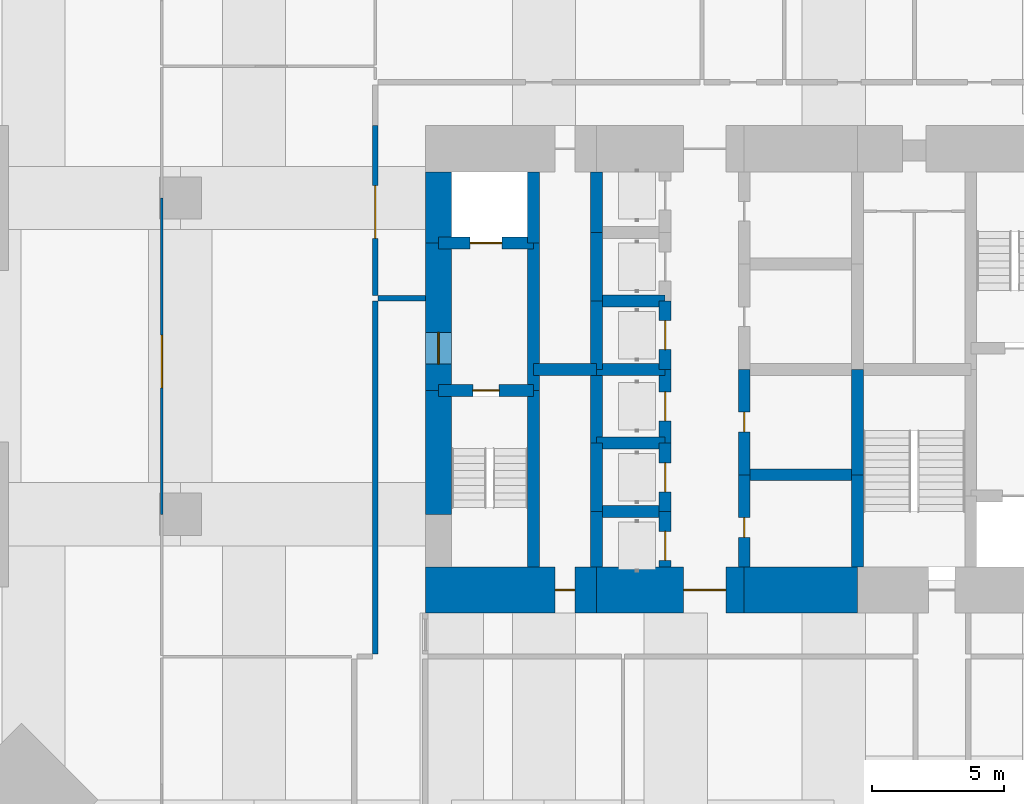
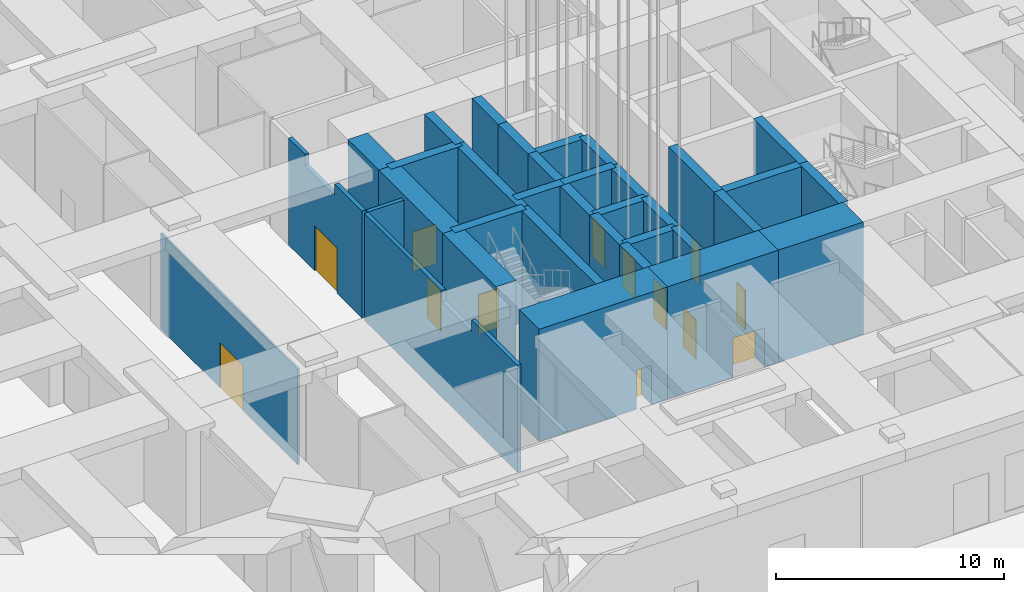
# One storey, part 5 of 17: 35 walls, 13 doors, 13 openings.
"""IFC4 building model written with IfcOpenShell, lengths in metres."""

from ifc_helpers import new_model, si_unit, direction, frame, frame_2d, origin, place, context, subcontext, project, spatial, polyline, rectangle, outline, extrude, material, layer, layer_set, constituent, constituent_set, type_object, element, fill, save


model = new_model("IFC4")

# Units and contexts
model_context = context("Model", 3, precision=1e-05, world=origin(), true_north=direction((0.0, 1.0)))
body_context = subcontext(model_context, "Body", "Model", "MODEL_VIEW")
ifc_project = project(units=[si_unit("LENGTHUNIT", "METRE"), si_unit("AREAUNIT", "SQUARE_METRE"), si_unit("VOLUMEUNIT", "CUBIC_METRE"), si_unit("PLANEANGLEUNIT", "RADIAN"), si_unit("MASSUNIT", "GRAM", prefix="KILO")], contexts=[model_context])

# Site, building, storey
site_placement = place(None, origin())
site = spatial("IfcSite", under=ifc_project, at=site_placement, CompositionType="ELEMENT")
building_placement = place(site_placement, origin())
building = spatial("IfcBuilding", under=site, at=building_placement, Name="Jalousie Tower", CompositionType="ELEMENT")
storey_placement = place(building_placement, origin())
storey = spatial("IfcBuildingStorey", under=building, at=storey_placement, Name="L00", CompositionType="ELEMENT", Elevation=0.0)

# Wall
ifc_material_1 = material(Name="Concrete f'c 120 MPa", Category="concrete")
ifc_layer_1 = layer(ifc_material_1, 1.0)
ifc_layer_set_1 = layer_set([ifc_layer_1], Name="Concrete f'c 120 MPa")
wall_type_1 = type_object("IfcWallType", Name="CORE WALL 1000", PredefinedType="SHEAR", material=ifc_layer_set_1)
wall_1_placement = place(storey_placement, frame((20.0, 26.0, 0.0), z_axis=(0.0, 0.0, 1.0), x_axis=(0.0, -1.0, 0.0)))
element("IfcWall", 1, at=wall_1_placement, inside=storey, type_object=wall_type_1, Name="Core wall WA L00", PredefinedType="SHEAR", context=body_context, shape_type="SweptSolid", body=[
    extrude(rectangle(XDim=2.699951171875, YDim=1.0, at=frame_2d((1.35009765625, 0.0))), origin(), (0.0, 0.0, 1.0), 6.0),
])

# Wall, opening, door
wall_2_placement = place(storey_placement, frame((20.0, 23.300048828125, 0.0), z_axis=(0.0, 0.0, 1.0), x_axis=(0.0, -1.0, 0.0)))
wall_2 = element("IfcWall", 2, at=wall_2_placement, inside=storey, type_object=wall_type_1, Name="Core wall WB L00", PredefinedType="SHEAR", context=body_context, shape_type="SweptSolid", body=[
    extrude(rectangle(XDim=5.60009765625, YDim=1.0, at=frame_2d((2.800048828125, 0.0))), origin(), (0.0, 0.0, 1.0), 6.0),
])
opening_1_placement = place(wall_2_placement, frame((3.39990234375, 0.0, 0.0)))
opening_1 = element("IfcOpeningElement", 3, at=opening_1_placement, cuts=wall_2, Name="Opening D11", PredefinedType="OPENING", context=body_context, shape_type="SweptSolid", body=[
    extrude(rectangle(XDim=1.199951171875, YDim=2.199951171875, at=frame_2d((0.60009765625, 1.10009765625))), frame((0.0, 0.510009765625, 0.0), z_axis=(0.0, -1.0, 0.0), x_axis=(1.0, 0.0, 0.0)), (0.0, 0.0, 1.0), 1.02001953125),
])
ifc_material_2 = material(Name="Steel fire door", Category="steel")
door_type_1 = type_object("IfcDoorType", Name="FIRE DOOR 1200", OperationType="SINGLE_SWING_LEFT", PredefinedType="DOOR", material=ifc_material_2)
door_1_placement = place(opening_1_placement, frame((1.199951171875, 0.0, 0.0), z_axis=(0.0, 0.0, 1.0), x_axis=(-1.0, 0.0, 0.0)))
door_1 = element("IfcDoor", 4, at=door_1_placement, inside=storey, type_object=door_type_1, Name="Fire-fighting lobby A door", OperationType="SINGLE_SWING_RIGHT", OverallHeight=2.199951171875, OverallWidth=1.199951171875, PredefinedType="DOOR", context=body_context, shape_type="SweptSolid", body=[
    extrude(rectangle(XDim=1.199951171875, YDim=2.199951171875, at=frame_2d((0.60009765625, 1.10009765625))), frame((0.0, 0.02490234375, 0.0), z_axis=(0.0, -1.0, 0.0), x_axis=(1.0, 0.0, 0.0)), (0.0, 0.0, 1.0), 0.050048828125),
])
fill(opening_1, door_1)

# Wall
wall_3_placement = place(storey_placement, frame((20.0, 17.699951171875, 0.0), z_axis=(0.0, 0.0, 1.0), x_axis=(0.0, -1.0, 0.0)))
element("IfcWall", 5, at=wall_3_placement, inside=storey, type_object=wall_type_1, Name="Core wall WC L00", PredefinedType="SHEAR", context=body_context, shape_type="SweptSolid", body=[
    extrude(rectangle(XDim=4.699951171875, YDim=1.0, at=frame_2d((2.35009765625, 0.0))), origin(), (0.0, 0.0, 1.0), 6.0),
])

# Wall, opening, door
ifc_material_3 = material(Name="Concrete f'c 120 MPa", Category="concrete")
ifc_layer_2 = layer(ifc_material_3, 1.75)
ifc_layer_set_2 = layer_set([ifc_layer_2], Name="Concrete f'c 120 MPa")
wall_type_2 = type_object("IfcWallType", Name="CORE WALL 1750", PredefinedType="SHEAR", material=ifc_layer_set_2)
wall_4_placement = place(storey_placement, frame((19.5, 10.125, 0.0), z_axis=(0.0, 0.0, 1.0), x_axis=(1.0, 0.0, 0.0)))
wall_4 = element("IfcWall", 6, at=wall_4_placement, inside=storey, type_object=wall_type_2, Name="Core wall SA L00", PredefinedType="SHEAR", context=body_context, shape_type="SweptSolid", body=[
    extrude(rectangle(XDim=6.5, YDim=1.75, at=frame_2d((3.25, 0.0))), origin(), (0.0, 0.0, 1.0), 6.0),
])
opening_2_placement = place(wall_4_placement, frame((4.925048828125, 0.0, 0.0)))
opening_2 = element("IfcOpeningElement", 7, at=opening_2_placement, cuts=wall_4, Name="Opening D16", PredefinedType="OPENING", context=body_context, shape_type="SweptSolid", body=[
    extrude(rectangle(XDim=0.75, YDim=2.10009765625, at=frame_2d((0.375, 1.050048828125))), frame((0.0, 0.885009765625, 0.0), z_axis=(0.0, -1.0, 0.0), x_axis=(1.0, 0.0, 0.0)), (0.0, 0.0, 1.0), 1.77001953125),
])
ifc_material_4 = material(Name="Steel fire door", Category="steel")
door_type_2 = type_object("IfcDoorType", Name="RISER DOOR 750", OperationType="SINGLE_SWING_LEFT", PredefinedType="DOOR", material=ifc_material_4)
door_2_placement = place(opening_2_placement, origin())
door_2 = element("IfcDoor", 8, at=door_2_placement, inside=storey, type_object=door_type_2, Name="South riser door", OperationType="SINGLE_SWING_LEFT", OverallHeight=2.10009765625, OverallWidth=0.75, PredefinedType="DOOR", context=body_context, shape_type="SweptSolid", body=[
    extrude(rectangle(XDim=0.75, YDim=2.10009765625, at=frame_2d((0.375, 1.050048828125))), frame((0.0, 0.02490234375, 0.0), z_axis=(0.0, -1.0, 0.0), x_axis=(1.0, 0.0, 0.0)), (0.0, 0.0, 1.0), 0.050048828125),
])
fill(opening_2, door_2)

wall_5_placement = place(storey_placement, frame((26.0, 10.125, 0.0), z_axis=(0.0, 0.0, 1.0), x_axis=(1.0, 0.0, 0.0)))
wall_5 = element("IfcWall", 9, at=wall_5_placement, inside=storey, type_object=wall_type_2, Name="Core wall SB L00", PredefinedType="SHEAR", context=body_context, shape_type="SweptSolid", body=[
    extrude(rectangle(XDim=5.60009765625, YDim=1.75, at=frame_2d((2.800048828125, 0.0))), origin(), (0.0, 0.0, 1.0), 6.0),
])
opening_3_placement = place(wall_5_placement, frame((3.300048828125, 0.0, 0.0)))
opening_3 = element("IfcOpeningElement", 10, at=opening_3_placement, cuts=wall_5, Name="Opening D15", PredefinedType="OPENING", context=body_context, shape_type="SweptSolid", body=[
    extrude(rectangle(XDim=1.60009765625, YDim=2.10009765625, at=frame_2d((0.800048828125, 1.050048828125))), frame((0.0, 0.885009765625, 0.0), z_axis=(0.0, -1.0, 0.0), x_axis=(1.0, 0.0, 0.0)), (0.0, 0.0, 1.0), 1.77001953125),
])
ifc_material_5 = material(Name="Steel fire door", Category="steel")
door_type_3 = type_object("IfcDoorType", Name="LIFT LOBBY DOOR 1600", OperationType="DOUBLE_DOOR_SINGLE_SWING", PredefinedType="DOOR", material=ifc_material_5)
door_3_placement = place(opening_3_placement, origin())
door_3 = element("IfcDoor", 11, at=door_3_placement, inside=storey, type_object=door_type_3, Name="Lift lobby south door", OperationType="DOUBLE_DOOR_SINGLE_SWING", OverallHeight=2.10009765625, OverallWidth=1.60009765625, PredefinedType="DOOR", context=body_context, shape_type="SweptSolid", body=[
    extrude(rectangle(XDim=1.60009765625, YDim=2.10009765625, at=frame_2d((0.800048828125, 1.050048828125))), frame((0.0, 0.02490234375, 0.0), z_axis=(0.0, -1.0, 0.0), x_axis=(1.0, 0.0, 0.0)), (0.0, 0.0, 1.0), 0.050048828125),
])
fill(opening_3, door_3)

# Walls
wall_6_placement = place(storey_placement, frame((31.60009765625, 10.125, 0.0), z_axis=(0.0, 0.0, 1.0), x_axis=(1.0, 0.0, 0.0)))
element("IfcWall", 12, at=wall_6_placement, inside=storey, type_object=wall_type_2, Name="Core wall SC L00", PredefinedType="SHEAR", context=body_context, shape_type="SweptSolid", body=[
    extrude(rectangle(XDim=4.2998046875, YDim=1.75, at=frame_2d((2.14990234375, 0.0))), origin(), (0.0, 0.0, 1.0), 6.0),
])
ifc_material_6 = material(Name="Concrete f'c 120 MPa", Category="concrete")
ifc_layer_3 = layer(ifc_material_6, 0.449951171875)
ifc_layer_set_3 = layer_set([ifc_layer_3], Name="Concrete f'c 120 MPa")
wall_type_3 = type_object("IfcWallType", Name="CORE WALL 450", PredefinedType="SHEAR", material=ifc_layer_set_3)
wall_7_placement = place(storey_placement, frame((23.60009765625, 11.0, 0.0), z_axis=(0.0, 0.0, 1.0), x_axis=(0.0, 1.0, 0.0)))
element("IfcWall", 13, at=wall_7_placement, inside=storey, type_object=wall_type_3, Name="Core wall X23.6A L00", PredefinedType="SHEAR", context=body_context, shape_type="SweptSolid", body=[
    extrude(rectangle(XDim=6.699951171875, YDim=0.449951171875, at=frame_2d((3.35009765625, 0.0))), origin(), (0.0, 0.0, 1.0), 6.0),
])
wall_8_placement = place(storey_placement, frame((23.60009765625, 17.699951171875, 0.0), z_axis=(0.0, 0.0, 1.0), x_axis=(0.0, 1.0, 0.0)))
element("IfcWall", 14, at=wall_8_placement, inside=storey, type_object=wall_type_3, Name="Core wall X23.6B L00", PredefinedType="SHEAR", context=body_context, shape_type="SweptSolid", body=[
    extrude(rectangle(XDim=5.60009765625, YDim=0.449951171875, at=frame_2d((2.800048828125, 0.0))), origin(), (0.0, 0.0, 1.0), 6.0),
])
wall_9_placement = place(storey_placement, frame((23.60009765625, 23.300048828125, 0.0), z_axis=(0.0, 0.0, 1.0), x_axis=(0.0, 1.0, 0.0)))
element("IfcWall", 15, at=wall_9_placement, inside=storey, type_object=wall_type_3, Name="Core wall X23.6C L00", PredefinedType="SHEAR", context=body_context, shape_type="SweptSolid", body=[
    extrude(rectangle(XDim=2.699951171875, YDim=0.449951171875, at=frame_2d((1.35009765625, 0.0))), origin(), (0.0, 0.0, 1.0), 6.0),
])
wall_10_placement = place(storey_placement, frame((26.0, 11.0, 0.0), z_axis=(0.0, 0.0, 1.0), x_axis=(0.0, 1.0, 0.0)))
element("IfcWall", 16, at=wall_10_placement, inside=storey, type_object=wall_type_3, Name="Core wall X26A L00", PredefinedType="SHEAR", context=body_context, shape_type="SweptSolid", body=[
    extrude(rectangle(XDim=2.10009765625, YDim=0.449951171875, at=frame_2d((1.050048828125, 0.0))), origin(), (0.0, 0.0, 1.0), 6.0),
])
wall_11_placement = place(storey_placement, frame((26.0, 13.10009765625, 0.0), z_axis=(0.0, 0.0, 1.0), x_axis=(0.0, 1.0, 0.0)))
element("IfcWall", 17, at=wall_11_placement, inside=storey, type_object=wall_type_3, Name="Core wall X26B L00", PredefinedType="SHEAR", context=body_context, shape_type="SweptSolid", body=[
    extrude(rectangle(XDim=2.599853515625, YDim=0.449951171875, at=frame_2d((1.2998046875, 0.0))), origin(), (0.0, 0.0, 1.0), 6.0),
])
wall_12_placement = place(storey_placement, frame((26.0, 15.699951171875, 0.0), z_axis=(0.0, 0.0, 1.0), x_axis=(0.0, 1.0, 0.0)))
element("IfcWall", 18, at=wall_12_placement, inside=storey, type_object=wall_type_3, Name="Core wall X26C L00", PredefinedType="SHEAR", context=body_context, shape_type="SweptSolid", body=[
    extrude(rectangle(XDim=2.800048828125, YDim=0.449951171875, at=frame_2d((1.39990234375, 0.0))), origin(), (0.0, 0.0, 1.0), 6.0),
])
wall_13_placement = place(storey_placement, frame((26.0, 18.5, 0.0), z_axis=(0.0, 0.0, 1.0), x_axis=(0.0, 1.0, 0.0)))
element("IfcWall", 19, at=wall_13_placement, inside=storey, type_object=wall_type_3, Name="Core wall X26D L00", PredefinedType="SHEAR", context=body_context, shape_type="SweptSolid", body=[
    extrude(rectangle(XDim=2.60009765625, YDim=0.449951171875, at=frame_2d((1.300048828125, 0.0))), origin(), (0.0, 0.0, 1.0), 6.0),
])
wall_14_placement = place(storey_placement, frame((26.0, 21.10009765625, 0.0), z_axis=(0.0, 0.0, 1.0), x_axis=(0.0, 1.0, 0.0)))
element("IfcWall", 20, at=wall_14_placement, inside=storey, type_object=wall_type_3, Name="Core wall X26E L00", PredefinedType="SHEAR", context=body_context, shape_type="SweptSolid", body=[
    extrude(rectangle(XDim=2.599853515625, YDim=0.449951171875, at=frame_2d((1.2998046875, 0.0))), origin(), (0.0, 0.0, 1.0), 6.0),
])
wall_15_placement = place(storey_placement, frame((26.0, 23.699951171875, 0.0), z_axis=(0.0, 0.0, 1.0), x_axis=(0.0, 1.0, 0.0)))
element("IfcWall", 21, at=wall_15_placement, inside=storey, type_object=wall_type_3, Name="Core wall X26F L00", PredefinedType="SHEAR", context=body_context, shape_type="SweptSolid", body=[
    extrude(rectangle(XDim=2.300048828125, YDim=0.449951171875, at=frame_2d((1.14990234375, 0.0))), origin(), (0.0, 0.0, 1.0), 6.0),
])

# Wall, opening, door
wall_16_placement = place(storey_placement, frame((28.60009765625, 11.0, 0.0), z_axis=(0.0, 0.0, 1.0), x_axis=(0.0, 1.0, 0.0)))
wall_16 = element("IfcWall", 22, at=wall_16_placement, inside=storey, type_object=wall_type_3, Name="Core wall X28.6A L00", PredefinedType="SHEAR", context=body_context, shape_type="SweptSolid", body=[
    extrude(rectangle(XDim=2.10009765625, YDim=0.449951171875, at=frame_2d((1.050048828125, 0.0))), origin(), (0.0, 0.0, 1.0), 6.0),
])
opening_4_placement = place(wall_16_placement, frame((0.25, 0.0, 0.0)))
opening_4 = element("IfcOpeningElement", 23, at=opening_4_placement, cuts=wall_16, Name="Opening LD1", PredefinedType="OPENING", context=body_context, shape_type="SweptSolid", body=[
    extrude(rectangle(XDim=1.10009765625, YDim=2.10009765625, at=frame_2d((0.550048828125, 1.050048828125))), frame((0.0, 0.23486328125, 0.0), z_axis=(0.0, -1.0, 0.0), x_axis=(1.0, 0.0, 0.0)), (0.0, 0.0, 1.0), 0.469970703125),
])
ifc_material_7 = material(Name="Steel lift landing door", Category="steel")
door_type_4 = type_object("IfcDoorType", Name="LIFT LANDING DOOR 1100", OperationType="SLIDING_TO_LEFT", PredefinedType="DOOR", material=ifc_material_7)
door_4_placement = place(opening_4_placement, origin())
door_4 = element("IfcDoor", 24, at=door_4_placement, inside=storey, type_object=door_type_4, Name="Lift P1 landing door", OperationType="SLIDING_TO_LEFT", OverallHeight=2.10009765625, OverallWidth=1.10009765625, PredefinedType="DOOR", context=body_context, shape_type="SweptSolid", body=[
    extrude(rectangle(XDim=1.10009765625, YDim=2.10009765625, at=frame_2d((0.550048828125, 1.050048828125))), frame((0.0, 0.02490234375, 0.0), z_axis=(0.0, -1.0, 0.0), x_axis=(1.0, 0.0, 0.0)), (0.0, 0.0, 1.0), 0.050048828125),
])
fill(opening_4, door_4)

wall_17_placement = place(storey_placement, frame((28.60009765625, 13.10009765625, 0.0), z_axis=(0.0, 0.0, 1.0), x_axis=(0.0, 1.0, 0.0)))
wall_17 = element("IfcWall", 25, at=wall_17_placement, inside=storey, type_object=wall_type_3, Name="Core wall X28.6B L00", PredefinedType="SHEAR", context=body_context, shape_type="SweptSolid", body=[
    extrude(rectangle(XDim=2.599853515625, YDim=0.449951171875, at=frame_2d((1.2998046875, 0.0))), origin(), (0.0, 0.0, 1.0), 6.0),
])
opening_5_placement = place(wall_17_placement, frame((0.75, 0.0, 0.0)))
opening_5 = element("IfcOpeningElement", 26, at=opening_5_placement, cuts=wall_17, Name="Opening LD1", PredefinedType="OPENING", context=body_context, shape_type="SweptSolid", body=[
    extrude(rectangle(XDim=1.10009765625, YDim=2.10009765625, at=frame_2d((0.550048828125, 1.050048828125))), frame((0.0, 0.23486328125, 0.0), z_axis=(0.0, -1.0, 0.0), x_axis=(1.0, 0.0, 0.0)), (0.0, 0.0, 1.0), 0.469970703125),
])
door_5_placement = place(opening_5_placement, origin())
door_5 = element("IfcDoor", 27, at=door_5_placement, inside=storey, type_object=door_type_4, Name="Lift P2 landing door", OperationType="SLIDING_TO_LEFT", OverallHeight=2.10009765625, OverallWidth=1.10009765625, PredefinedType="DOOR", context=body_context, shape_type="SweptSolid", body=[
    extrude(rectangle(XDim=1.10009765625, YDim=2.10009765625, at=frame_2d((0.550048828125, 1.050048828125))), frame((0.0, 0.02490234375, 0.0), z_axis=(0.0, -1.0, 0.0), x_axis=(1.0, 0.0, 0.0)), (0.0, 0.0, 1.0), 0.050048828125),
])
fill(opening_5, door_5)

wall_18_placement = place(storey_placement, frame((28.60009765625, 15.699951171875, 0.0), z_axis=(0.0, 0.0, 1.0), x_axis=(0.0, 1.0, 0.0)))
wall_18 = element("IfcWall", 28, at=wall_18_placement, inside=storey, type_object=wall_type_3, Name="Core wall X28.6C L00", PredefinedType="SHEAR", context=body_context, shape_type="SweptSolid", body=[
    extrude(rectangle(XDim=2.800048828125, YDim=0.449951171875, at=frame_2d((1.39990234375, 0.0))), origin(), (0.0, 0.0, 1.0), 6.0),
])
opening_6_placement = place(wall_18_placement, frame((0.85009765625, 0.0, 0.0)))
opening_6 = element("IfcOpeningElement", 29, at=opening_6_placement, cuts=wall_18, Name="Opening LD1", PredefinedType="OPENING", context=body_context, shape_type="SweptSolid", body=[
    extrude(rectangle(XDim=1.10009765625, YDim=2.10009765625, at=frame_2d((0.550048828125, 1.050048828125))), frame((0.0, 0.23486328125, 0.0), z_axis=(0.0, -1.0, 0.0), x_axis=(1.0, 0.0, 0.0)), (0.0, 0.0, 1.0), 0.469970703125),
])
door_6_placement = place(opening_6_placement, origin())
door_6 = element("IfcDoor", 30, at=door_6_placement, inside=storey, type_object=door_type_4, Name="Lift P3 landing door", OperationType="SLIDING_TO_LEFT", OverallHeight=2.10009765625, OverallWidth=1.10009765625, PredefinedType="DOOR", context=body_context, shape_type="SweptSolid", body=[
    extrude(rectangle(XDim=1.10009765625, YDim=2.10009765625, at=frame_2d((0.550048828125, 1.050048828125))), frame((0.0, 0.02490234375, 0.0), z_axis=(0.0, -1.0, 0.0), x_axis=(1.0, 0.0, 0.0)), (0.0, 0.0, 1.0), 0.050048828125),
])
fill(opening_6, door_6)

wall_19_placement = place(storey_placement, frame((28.60009765625, 18.5, 0.0), z_axis=(0.0, 0.0, 1.0), x_axis=(0.0, 1.0, 0.0)))
wall_19 = element("IfcWall", 31, at=wall_19_placement, inside=storey, type_object=wall_type_3, Name="Core wall X28.6D L00", PredefinedType="SHEAR", context=body_context, shape_type="SweptSolid", body=[
    extrude(rectangle(XDim=2.60009765625, YDim=0.449951171875, at=frame_2d((1.300048828125, 0.0))), origin(), (0.0, 0.0, 1.0), 6.0),
])
opening_7_placement = place(wall_19_placement, frame((0.75, 0.0, 0.0)))
opening_7 = element("IfcOpeningElement", 32, at=opening_7_placement, cuts=wall_19, Name="Opening LD1", PredefinedType="OPENING", context=body_context, shape_type="SweptSolid", body=[
    extrude(rectangle(XDim=1.10009765625, YDim=2.10009765625, at=frame_2d((0.550048828125, 1.050048828125))), frame((0.0, 0.23486328125, 0.0), z_axis=(0.0, -1.0, 0.0), x_axis=(1.0, 0.0, 0.0)), (0.0, 0.0, 1.0), 0.469970703125),
])
door_7_placement = place(opening_7_placement, origin())
door_7 = element("IfcDoor", 33, at=door_7_placement, inside=storey, type_object=door_type_4, Name="Lift P4 landing door", OperationType="SLIDING_TO_LEFT", OverallHeight=2.10009765625, OverallWidth=1.10009765625, PredefinedType="DOOR", context=body_context, shape_type="SweptSolid", body=[
    extrude(rectangle(XDim=1.10009765625, YDim=2.10009765625, at=frame_2d((0.550048828125, 1.050048828125))), frame((0.0, 0.02490234375, 0.0), z_axis=(0.0, -1.0, 0.0), x_axis=(1.0, 0.0, 0.0)), (0.0, 0.0, 1.0), 0.050048828125),
])
fill(opening_7, door_7)

wall_20_placement = place(storey_placement, frame((31.60009765625, 11.0, 0.0), z_axis=(0.0, 0.0, 1.0), x_axis=(0.0, 1.0, 0.0)))
wall_20 = element("IfcWall", 34, at=wall_20_placement, inside=storey, type_object=wall_type_3, Name="Core wall X31.6A L00", PredefinedType="SHEAR", context=body_context, shape_type="SweptSolid", body=[
    extrude(rectangle(XDim=3.5, YDim=0.449951171875, at=frame_2d((1.75, 0.0))), origin(), (0.0, 0.0, 1.0), 6.0),
])
opening_8_placement = place(wall_20_placement, frame((1.125, 0.0, 0.0)))
opening_8 = element("IfcOpeningElement", 35, at=opening_8_placement, cuts=wall_20, Name="Opening D16", PredefinedType="OPENING", context=body_context, shape_type="SweptSolid", body=[
    extrude(rectangle(XDim=0.75, YDim=2.10009765625, at=frame_2d((0.375, 1.050048828125))), frame((0.0, 0.23486328125, 0.0), z_axis=(0.0, -1.0, 0.0), x_axis=(1.0, 0.0, 0.0)), (0.0, 0.0, 1.0), 0.469970703125),
])
door_8_placement = place(opening_8_placement, frame((0.75, 0.0, 0.0), z_axis=(0.0, 0.0, 1.0), x_axis=(-1.0, 0.0, 0.0)))
door_8 = element("IfcDoor", 36, at=door_8_placement, inside=storey, type_object=door_type_2, Name="Refuse Room door", OperationType="SINGLE_SWING_RIGHT", OverallHeight=2.10009765625, OverallWidth=0.75, PredefinedType="DOOR", context=body_context, shape_type="SweptSolid", body=[
    extrude(rectangle(XDim=0.75, YDim=2.10009765625, at=frame_2d((0.375, 1.050048828125))), frame((0.0, 0.02490234375, 0.0), z_axis=(0.0, -1.0, 0.0), x_axis=(1.0, 0.0, 0.0)), (0.0, 0.0, 1.0), 0.050048828125),
])
fill(opening_8, door_8)

wall_21_placement = place(storey_placement, frame((31.60009765625, 14.5, 0.0), z_axis=(0.0, 0.0, 1.0), x_axis=(0.0, 1.0, 0.0)))
wall_21 = element("IfcWall", 37, at=wall_21_placement, inside=storey, type_object=wall_type_3, Name="Core wall X31.6B L00", PredefinedType="SHEAR", context=body_context, shape_type="SweptSolid", body=[
    extrude(rectangle(XDim=4.0, YDim=0.449951171875, at=frame_2d((2.0, 0.0))), origin(), (0.0, 0.0, 1.0), 6.0),
])
opening_9_placement = place(wall_21_placement, frame((1.625, 0.0, 0.0)))
opening_9 = element("IfcOpeningElement", 38, at=opening_9_placement, cuts=wall_21, Name="Opening D16", PredefinedType="OPENING", context=body_context, shape_type="SweptSolid", body=[
    extrude(rectangle(XDim=0.75, YDim=2.10009765625, at=frame_2d((0.375, 1.050048828125))), frame((0.0, 0.23486328125, 0.0), z_axis=(0.0, -1.0, 0.0), x_axis=(1.0, 0.0, 0.0)), (0.0, 0.0, 1.0), 0.469970703125),
])
door_9_placement = place(opening_9_placement, frame((0.75, 0.0, 0.0), z_axis=(0.0, 0.0, 1.0), x_axis=(-1.0, 0.0, 0.0)))
door_9 = element("IfcDoor", 39, at=door_9_placement, inside=storey, type_object=door_type_2, Name="Electrical Room door", OperationType="SINGLE_SWING_RIGHT", OverallHeight=2.10009765625, OverallWidth=0.75, PredefinedType="DOOR", context=body_context, shape_type="SweptSolid", body=[
    extrude(rectangle(XDim=0.75, YDim=2.10009765625, at=frame_2d((0.375, 1.050048828125))), frame((0.0, 0.02490234375, 0.0), z_axis=(0.0, -1.0, 0.0), x_axis=(1.0, 0.0, 0.0)), (0.0, 0.0, 1.0), 0.050048828125),
])
fill(opening_9, door_9)

# Walls
wall_22_placement = place(storey_placement, frame((35.89990234375, 11.0, 0.0), z_axis=(0.0, 0.0, 1.0), x_axis=(0.0, 1.0, 0.0)))
element("IfcWall", 40, at=wall_22_placement, inside=storey, type_object=wall_type_3, Name="Core wall X35.9A L00", PredefinedType="SHEAR", context=body_context, shape_type="SweptSolid", body=[
    extrude(rectangle(XDim=3.5, YDim=0.449951171875, at=frame_2d((1.75, 0.0))), origin(), (0.0, 0.0, 1.0), 6.0),
])
wall_23_placement = place(storey_placement, frame((35.89990234375, 14.5, 0.0), z_axis=(0.0, 0.0, 1.0), x_axis=(0.0, 1.0, 0.0)))
element("IfcWall", 41, at=wall_23_placement, inside=storey, type_object=wall_type_3, Name="Core wall X35.9B L00", PredefinedType="SHEAR", context=body_context, shape_type="SweptSolid", body=[
    extrude(rectangle(XDim=4.0, YDim=0.449951171875, at=frame_2d((2.0, 0.0))), origin(), (0.0, 0.0, 1.0), 6.0),
])

# Wall, opening, door
wall_24_placement = place(storey_placement, frame((20.0, 17.699951171875, 0.0), z_axis=(0.0, 0.0, 1.0), x_axis=(1.0, 0.0, 0.0)))
wall_24 = element("IfcWall", 42, at=wall_24_placement, inside=storey, type_object=wall_type_3, Name="Core wall Y20-17.7 L00", PredefinedType="SHEAR", context=body_context, shape_type="SweptSolid", body=[
    extrude(rectangle(XDim=3.60009765625, YDim=0.449951171875, at=frame_2d((1.800048828125, 0.0))), origin(), (0.0, 0.0, 1.0), 6.0),
])
opening_10_placement = place(wall_24_placement, frame((1.300048828125, 0.0, 0.0)))
opening_10 = element("IfcOpeningElement", 43, at=opening_10_placement, cuts=wall_24, Name="Opening D10", PredefinedType="OPENING", context=body_context, shape_type="SweptSolid", body=[
    extrude(rectangle(XDim=1.0, YDim=2.10009765625, at=frame_2d((0.5, 1.050048828125))), frame((0.0, 0.23486328125, 0.0), z_axis=(0.0, -1.0, 0.0), x_axis=(1.0, 0.0, 0.0)), (0.0, 0.0, 1.0), 0.469970703125),
])
ifc_material_8 = material(Name="Steel fire door", Category="steel")
door_type_5 = type_object("IfcDoorType", Name="STAIR DOOR 1000", OperationType="SINGLE_SWING_LEFT", PredefinedType="DOOR", material=ifc_material_8)
door_10_placement = place(opening_10_placement, origin())
door_10 = element("IfcDoor", 44, at=door_10_placement, inside=storey, type_object=door_type_5, Name="Exit stair A door", OperationType="SINGLE_SWING_LEFT", OverallHeight=2.10009765625, OverallWidth=1.0, PredefinedType="DOOR", context=body_context, shape_type="SweptSolid", body=[
    extrude(rectangle(XDim=1.0, YDim=2.10009765625, at=frame_2d((0.5, 1.050048828125))), frame((0.0, 0.02490234375, 0.0), z_axis=(0.0, -1.0, 0.0), x_axis=(1.0, 0.0, 0.0)), (0.0, 0.0, 1.0), 0.050048828125),
])
fill(opening_10, door_10)

wall_25_placement = place(storey_placement, frame((20.0, 23.300048828125, 0.0), z_axis=(0.0, 0.0, 1.0), x_axis=(1.0, 0.0, 0.0)))
wall_25 = element("IfcWall", 45, at=wall_25_placement, inside=storey, type_object=wall_type_3, Name="Core wall Y20-23.3 L00", PredefinedType="SHEAR", context=body_context, shape_type="SweptSolid", body=[
    extrude(rectangle(XDim=3.60009765625, YDim=0.449951171875, at=frame_2d((1.800048828125, 0.0))), origin(), (0.0, 0.0, 1.0), 6.0),
])
opening_11_placement = place(wall_25_placement, frame((1.199951171875, 0.0, 0.0)))
opening_11 = element("IfcOpeningElement", 46, at=opening_11_placement, cuts=wall_25, Name="Opening LD2", PredefinedType="OPENING", context=body_context, shape_type="SweptSolid", body=[
    extrude(rectangle(XDim=1.199951171875, YDim=2.10009765625, at=frame_2d((0.60009765625, 1.050048828125))), frame((0.0, 0.23486328125, 0.0), z_axis=(0.0, -1.0, 0.0), x_axis=(1.0, 0.0, 0.0)), (0.0, 0.0, 1.0), 0.469970703125),
])
ifc_material_9 = material(Name="Steel lift landing door", Category="steel")
door_type_6 = type_object("IfcDoorType", Name="LIFT LANDING DOOR 1200", OperationType="SLIDING_TO_LEFT", PredefinedType="DOOR", material=ifc_material_9)
door_11_placement = place(opening_11_placement, origin())
door_11 = element("IfcDoor", 47, at=door_11_placement, inside=storey, type_object=door_type_6, Name="Lift F1 landing door", OperationType="SLIDING_TO_LEFT", OverallHeight=2.10009765625, OverallWidth=1.199951171875, PredefinedType="DOOR", context=body_context, shape_type="SweptSolid", body=[
    extrude(rectangle(XDim=1.199951171875, YDim=2.10009765625, at=frame_2d((0.60009765625, 1.050048828125))), frame((0.0, 0.02490234375, 0.0), z_axis=(0.0, -1.0, 0.0), x_axis=(1.0, 0.0, 0.0)), (0.0, 0.0, 1.0), 0.050048828125),
])
fill(opening_11, door_11)

# Walls
wall_26_placement = place(storey_placement, frame((23.60009765625, 18.5, 0.0), z_axis=(0.0, 0.0, 1.0), x_axis=(1.0, 0.0, 0.0)))
element("IfcWall", 48, at=wall_26_placement, inside=storey, type_object=wall_type_3, Name="Core wall Y23.6-18.5 L00", PredefinedType="SHEAR", context=body_context, shape_type="SweptSolid", body=[
    extrude(rectangle(XDim=2.39990234375, YDim=0.449951171875, at=frame_2d((1.199951171875, 0.0))), origin(), (0.0, 0.0, 1.0), 6.0),
])
for number, where, z_axis, x_axis, name in (
    (49, (26.0, 13.10009765625, 0.0), (0.0, 0.0, 1.0), (1.0, 0.0, 0.0), "Core wall Y26-13.1 L00"),
    (50, (26.0, 15.699951171875, 0.0), (0.0, 0.0, 1.0), (1.0, 0.0, 0.0), "Core wall Y26-15.7 L00"),
    (51, (26.0, 18.5, 0.0), (0.0, 0.0, 1.0), (1.0, 0.0, 0.0), "Core wall Y26-18.5 L00"),
    (52, (26.0, 21.10009765625, 0.0), (0.0, 0.0, 1.0), (1.0, 0.0, 0.0), "Core wall Y26-21.1 L00"),
):
    element("IfcWall", number, at=place(storey_placement, frame(where, z_axis=z_axis, x_axis=x_axis)), inside=storey, type_object=wall_type_3, Name=name, PredefinedType="SHEAR", context=body_context, shape_type="SweptSolid", body=[
        extrude(rectangle(XDim=2.60009765625, YDim=0.449951171875, at=frame_2d((1.300048828125, 0.0))), origin(), (0.0, 0.0, 1.0), 6.0),
    ])
wall_27_placement = place(storey_placement, frame((31.60009765625, 14.5, 0.0), z_axis=(0.0, 0.0, 1.0), x_axis=(1.0, 0.0, 0.0)))
element("IfcWall", 53, at=wall_27_placement, inside=storey, type_object=wall_type_3, Name="Core wall Y31.6-14.5 L00", PredefinedType="SHEAR", context=body_context, shape_type="SweptSolid", body=[
    extrude(rectangle(XDim=4.2998046875, YDim=0.449951171875, at=frame_2d((2.14990234375, 0.0))), origin(), (0.0, 0.0, 1.0), 6.0),
])

# Wall, opening, door
ifc_material_10 = material(Name="Concrete block ASTM C90", Category="concrete")
ifc_constituent_1 = constituent(ifc_material_10, Name="Body")
ifc_material_11 = material(Name="Render")
ifc_constituent_2 = constituent(ifc_material_11, Name="Finish")
ifc_constituent_set_1 = constituent_set(constituents=[ifc_constituent_1, ifc_constituent_2])
wall_type_4 = type_object("IfcWallType", Name="CORRIDOR WALL 200", PredefinedType="PARTITIONING", material=ifc_constituent_set_1)
wall_28_placement = place(storey_placement, frame((17.60009765625, 21.300048828125, 0.0), z_axis=(0.0, 0.0, 1.0), x_axis=(0.0, 1.0, 0.0)))
wall_28 = element("IfcWall", 54, at=wall_28_placement, inside=storey, type_object=wall_type_4, Name="Corridor Wall 200 L00", PredefinedType="PARTITIONING", context=body_context, shape_type="SweptSolid", body=[
    extrude(outline(polyline([(0.0, 0.0), (6.449951171875, 0.0), (6.449951171875, 5.719970703125), (5.010009765625, 5.719970703125), (5.010009765625, 5.1201171875), (2.389892578125, 5.1201171875), (2.389892578125, 5.719970703125), (0.0, 5.719970703125), (0.0, 0.0)])), frame((0.0, 0.10009765625, 0.0), z_axis=(0.0, -1.0, 0.0), x_axis=(1.0, 0.0, 0.0)), (0.0, 0.0, 1.0), 0.199951171875),
])
opening_12_placement = place(wall_28_placement, frame((2.175048828125, 0.0, 0.0)))
opening_12 = element("IfcOpeningElement", 55, at=opening_12_placement, cuts=wall_28, Name="Opening D19", PredefinedType="OPENING", context=body_context, shape_type="SweptSolid", body=[
    extrude(rectangle(XDim=2.0, YDim=2.39990234375, at=frame_2d((1.0, 1.199951171875))), frame((0.0, 0.10986328125, 0.0), z_axis=(0.0, -1.0, 0.0), x_axis=(1.0, 0.0, 0.0)), (0.0, 0.0, 1.0), 0.219970703125),
])
ifc_material_12 = material(Name="Glazed aluminium fire door", Category="aluminium")
door_type_7 = type_object("IfcDoorType", Name="GLAZED FIRE DOOR 2000", OperationType="DOUBLE_DOOR_SINGLE_SWING", PredefinedType="DOOR", material=ifc_material_12)
door_12_placement = place(opening_12_placement, origin())
door_12 = element("IfcDoor", 56, at=door_12_placement, inside=storey, type_object=door_type_7, Name="Lift hall door", OperationType="DOUBLE_DOOR_SINGLE_SWING", OverallHeight=2.39990234375, OverallWidth=2.0, PredefinedType="DOOR", context=body_context, shape_type="SweptSolid", body=[
    extrude(rectangle(XDim=2.0, YDim=2.39990234375, at=frame_2d((1.0, 1.199951171875))), frame((0.0, 0.02490234375, 0.0), z_axis=(0.0, -1.0, 0.0), x_axis=(1.0, 0.0, 0.0)), (0.0, 0.0, 1.0), 0.050048828125),
])
fill(opening_12, door_12)

ifc_material_13 = material(Name="Type X gypsum board", Category="gypsum")
ifc_constituent_3 = constituent(ifc_material_13, Name="Body")
ifc_material_14 = material(Name="Light-gauge steel studs ASTM A653 SS Grade 33", Category="steel")
ifc_constituent_4 = constituent(ifc_material_14, Name="Framing")
ifc_constituent_set_2 = constituent_set(constituents=[ifc_constituent_3, ifc_constituent_4])
wall_type_5 = type_object("IfcWallType", Name="FIRE PARTITION 100", PredefinedType="PARTITIONING", material=ifc_constituent_set_2)
wall_29_placement = place(storey_placement, frame((9.5, 13.0, 0.0), z_axis=(0.0, 0.0, 1.0), x_axis=(0.0, 1.0, 0.0)))
wall_29 = element("IfcWall", 57, at=wall_29_placement, inside=storey, type_object=wall_type_5, Name="Fire Partition 100 L00-B", PredefinedType="PARTITIONING", context=body_context, shape_type="SweptSolid", body=[
    extrude(rectangle(XDim=12.0, YDim=0.10009765625, at=frame_2d((6.0, 0.0))), origin(), (0.0, 0.0, 1.0), 5.1201171875),
])
opening_13_placement = place(wall_29_placement, frame((4.800048828125, 0.0, 0.0)))
opening_13 = element("IfcOpeningElement", 58, at=opening_13_placement, cuts=wall_29, Name="Opening D19", PredefinedType="OPENING", context=body_context, shape_type="SweptSolid", body=[
    extrude(rectangle(XDim=2.0, YDim=2.39990234375, at=frame_2d((1.0, 1.199951171875))), frame((0.0, 0.06005859375, 0.0), z_axis=(0.0, -1.0, 0.0), x_axis=(1.0, 0.0, 0.0)), (0.0, 0.0, 1.0), 0.1201171875),
])
door_13_placement = place(opening_13_placement, frame((2.0, 0.0, 0.0), z_axis=(0.0, 0.0, 1.0), x_axis=(-1.0, 0.0, 0.0)))
door_13 = element("IfcDoor", 59, at=door_13_placement, inside=storey, type_object=door_type_7, Name="Residential lobby door", OperationType="DOUBLE_DOOR_SINGLE_SWING", OverallHeight=2.39990234375, OverallWidth=2.0, PredefinedType="DOOR", context=body_context, shape_type="SweptSolid", body=[
    extrude(rectangle(XDim=2.0, YDim=2.39990234375, at=frame_2d((1.0, 1.199951171875))), frame((0.0, 0.02490234375, 0.0), z_axis=(0.0, -1.0, 0.0), x_axis=(1.0, 0.0, 0.0)), (0.0, 0.0, 1.0), 0.050048828125),
])
fill(opening_13, door_13)

# Walls
ifc_material_15 = material(Name="Concrete block ASTM C90", Category="concrete")
ifc_constituent_5 = constituent(ifc_material_15, Name="Body")
ifc_material_16 = material(Name="Render")
ifc_constituent_6 = constituent(ifc_material_16, Name="Finish")
ifc_constituent_set_3 = constituent_set(constituents=[ifc_constituent_5, ifc_constituent_6])
wall_type_6 = type_object("IfcWallType", Name="STAIR WALL 200", PredefinedType="SOLIDWALL", material=ifc_constituent_set_3)
wall_30_placement = place(storey_placement, frame((17.60009765625, 7.699951171875, 0.0), z_axis=(0.0, 0.0, 1.0), x_axis=(0.0, 1.0, 0.0)))
element("IfcWall", 60, at=wall_30_placement, inside=storey, type_object=wall_type_6, Name="Stair Wall 200 L00", PredefinedType="SOLIDWALL", context=body_context, shape_type="SweptSolid", body=[
    extrude(outline(polyline([(0.0, 0.0), (13.400146484375, 0.0), (13.39990234375, 5.719970703125), (6.610107421875, 5.719970703125), (6.610107421875, 5.1201171875), (3.989990234375, 5.1201171875), (3.989990234375, 5.719970703125), (0.0, 5.719970703125), (0.0, 0.0)])), frame((0.0, 0.10009765625, 0.0), z_axis=(0.0, -1.0, 0.0), x_axis=(1.0, 0.0, 0.0)), (0.0, 0.0, 1.0), 0.199951171875),
])
wall_31_placement = place(storey_placement, frame((17.699951171875, 21.199951171875, 0.0), z_axis=(0.0, 0.0, 1.0), x_axis=(1.0, 0.0, 0.0)))
element("IfcWall", 61, at=wall_31_placement, inside=storey, type_object=wall_type_6, Name="Stair Wall 200 L00", PredefinedType="SOLIDWALL", context=body_context, shape_type="SweptSolid", body=[
    extrude(rectangle(XDim=1.800048828125, YDim=0.199951171875, at=frame_2d((0.89990234375, 0.0))), origin(), (0.0, 0.0, 1.0), 5.719970703125),
])

save(model, "model.ifc")
